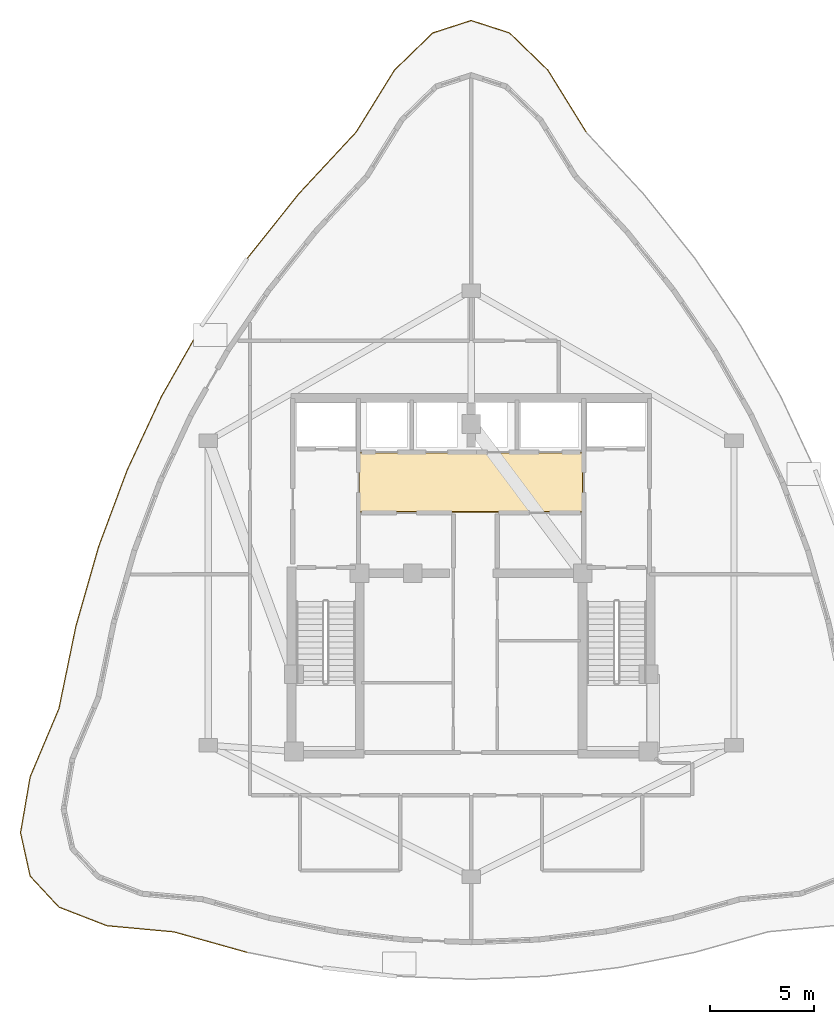
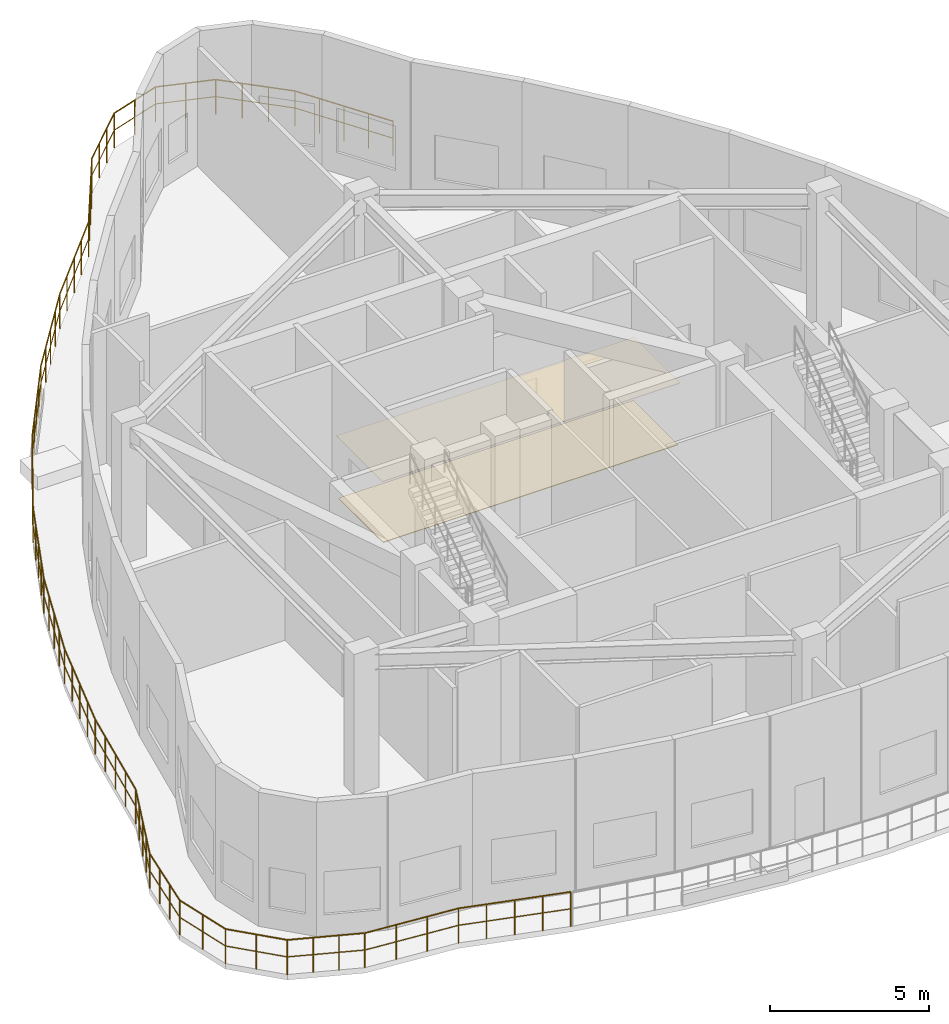
# One storey, part 9 of 11: 2 coverings, 1 railing.
"""IFC4 building model written with IfcOpenShell, lengths in metres."""

from ifc_helpers import new_model, si_unit, direction, frame, origin, origin_2d, place, context, subcontext, project, spatial, polyline, circle, outline, extrude, material, layer, layer_set, type_object, element, save


model = new_model("IFC4")

# Units and contexts
model_context = context("Model", 3, precision=1e-05, world=origin(), true_north=direction((0.0, 1.0)))
body_context = subcontext(model_context, "Body", "Model", "MODEL_VIEW")
ifc_project = project(units=[si_unit("LENGTHUNIT", "METRE"), si_unit("AREAUNIT", "SQUARE_METRE"), si_unit("VOLUMEUNIT", "CUBIC_METRE"), si_unit("PLANEANGLEUNIT", "RADIAN"), si_unit("MASSUNIT", "GRAM", prefix="KILO")], contexts=[model_context])

# Site, building, storey
site_placement = place(None, origin())
site = spatial("IfcSite", under=ifc_project, at=site_placement, CompositionType="ELEMENT")
building_placement = place(site_placement, origin())
building = spatial("IfcBuilding", under=site, at=building_placement, Name="Miruveldt Soraemaru", CompositionType="ELEMENT")
storey_placement = place(building_placement, frame((0.0, 0.0, 295.39990234375)))
storey = spatial("IfcBuildingStorey", under=building, at=storey_placement, Name="L79", CompositionType="ELEMENT", Elevation=295.39990234375)

# Coverings
ifc_material_1 = material(Name="Gypsum plasterboard lining", Category="gypsum")
ifc_layer_1 = layer(ifc_material_1, 0.02001953125, Name="Gypsum plasterboard lining", Category="gypsum")
ifc_layer_set_1 = layer_set([ifc_layer_1], Name="Gypsum plasterboard lining")
covering_type_1 = type_object("IfcCoveringType", Name="COV-CEIL-AC", PredefinedType="CEILING", material=ifc_layer_set_1)
covering_1_placement = place(storey_placement, frame((0.0, 0.0, 2.380126953125)))
element("IfcCovering", 1, at=covering_1_placement, inside=storey, type_object=covering_type_1, Name="L79 Lift Lobby Acoustic Ceiling", PredefinedType="CEILING", context=body_context, shape_type="SweptSolid", body=[
    extrude(outline(polyline([(38.60009765625, 46.949951171875), (49.39990234375, 46.949951171875), (49.39990234375, 49.85009765625), (38.60009765625, 49.85009765625), (38.60009765625, 46.949951171875)])), origin(), (0.0, 0.0, 1.0), 0.02001953125),
])
ifc_material_2 = material(Name="Precast concrete C45/55 (45 MPa)", Category="concrete")
ifc_layer_2 = layer(ifc_material_2, 0.02490234375, Name="Precast concrete C45/55 (45 MPa)", Category="concrete")
ifc_layer_set_2 = layer_set([ifc_layer_2], Name="Precast concrete C45/55 (45 MPa)")
covering_type_2 = type_object("IfcCoveringType", Name="COV-FLOR-ST", PredefinedType="FLOORING", material=ifc_layer_set_2)
covering_2_placement = place(storey_placement, origin())
element("IfcCovering", 2, at=covering_2_placement, inside=storey, type_object=covering_type_2, Name="L79 Lift Lobby Stone Flooring", PredefinedType="FLOORING", context=body_context, shape_type="SweptSolid", body=[
    extrude(outline(polyline([(38.64990234375, 47.0), (49.35009765625, 47.0), (49.35009765625, 49.800048828125), (38.64990234375, 49.800048828125), (38.64990234375, 47.0)])), origin(), (0.0, 0.0, 1.0), 0.025146484375),
])

# Railing
ifc_material_3 = material(Name="Anodised aluminium EN AW-6063 T6", Category="aluminium")
railing_type = type_object("IfcRailingType", Name="RAIL-LOOK-1350", PredefinedType="GUARDRAIL", material=ifc_material_3)
railing_placement = place(storey_placement, frame((49.5205078125, 65.195068359375, 0.0)))
element("IfcRailing", 3, at=railing_placement, inside=storey, type_object=railing_type, Name="L79 Planted Terrace Perimeter Guardrail (A)", PredefinedType="GUARDRAIL", context=body_context, shape_type="SweptSolid", body=[
    extrude(circle(Radius=0.02392578125, at=origin_2d()), frame((0.0, 0.0, 1.326171875), z_axis=(-0.526097501645, 0.850424258099, 0.0), x_axis=(-0.850424258099, -0.526097501645, 0.0)), (0.0, 0.0, 1.0), 3.498046875),
    extrude(circle(Radius=0.01611328125, at=origin_2d()), frame((0.0, 0.0, 0.675048828125), z_axis=(-0.526097501645, 0.850424258099, 0.0), x_axis=(-0.850424258099, -0.526097501645, 0.0)), (0.0, 0.0, 1.0), 3.498046875),
    extrude(circle(Radius=0.02392578125, at=origin_2d()), frame((-1.84033203125, 2.974853515625, 1.326171875), z_axis=(-0.717834041272, 0.696214255234, 0.0), x_axis=(-0.696214255234, -0.717834041272, 0.0)), (0.0, 0.0, 1.0), 2.5634765625),
    extrude(circle(Radius=0.01611328125, at=origin_2d()), frame((-1.84033203125, 2.974853515625, 0.675048828125), z_axis=(-0.717834041272, 0.696214255234, 0.0), x_axis=(-0.696214255234, -0.717834041272, 0.0)), (0.0, 0.0, 1.0), 2.5634765625),
    extrude(circle(Radius=0.02392578125, at=origin_2d()), frame((-3.680419921875, 4.759521484375, 1.326171875), z_axis=(-0.951497789565, 0.30765558089, 0.0), x_axis=(-0.30765558089, -0.951497789565, 0.0)), (0.0, 0.0, 1.0), 1.933837890625),
    extrude(circle(Radius=0.01611328125, at=origin_2d()), frame((-3.680419921875, 4.759521484375, 0.675048828125), z_axis=(-0.951497789565, 0.30765558089, 0.0), x_axis=(-0.30765558089, -0.951497789565, 0.0)), (0.0, 0.0, 1.0), 1.933837890625),
    extrude(circle(Radius=0.02392578125, at=origin_2d()), frame((-5.5205078125, 5.3544921875, 1.326171875), z_axis=(-0.951497789565, -0.30765558089, 0.0), x_axis=(0.30765558089, -0.951497789565, 0.0)), (0.0, 0.0, 1.0), 1.933837890625),
    extrude(circle(Radius=0.01611328125, at=origin_2d()), frame((-5.5205078125, 5.3544921875, 0.675048828125), z_axis=(-0.951497789565, -0.30765558089, 0.0), x_axis=(0.30765558089, -0.951497789565, 0.0)), (0.0, 0.0, 1.0), 1.933837890625),
    extrude(circle(Radius=0.02392578125, at=origin_2d()), frame((-7.360595703125, 4.759521484375, 1.326171875), z_axis=(-0.717834041272, -0.696214255234, 0.0), x_axis=(0.696214255234, -0.717834041272, 0.0)), (0.0, 0.0, 1.0), 2.5634765625),
    extrude(circle(Radius=0.01611328125, at=origin_2d()), frame((-7.360595703125, 4.759521484375, 0.675048828125), z_axis=(-0.717834041272, -0.696214255234, 0.0), x_axis=(0.696214255234, -0.717834041272, 0.0)), (0.0, 0.0, 1.0), 2.5634765625),
    extrude(circle(Radius=0.02392578125, at=origin_2d()), frame((-9.20068359375, 2.974853515625, 1.326171875), z_axis=(-0.526097501645, -0.850424258099, 0.0), x_axis=(0.850424258099, -0.526097501645, 0.0)), (0.0, 0.0, 1.0), 3.498046875),
    extrude(circle(Radius=0.01611328125, at=origin_2d()), frame((-9.20068359375, 2.974853515625, 0.675048828125), z_axis=(-0.526097501645, -0.850424258099, 0.0), x_axis=(0.850424258099, -0.526097501645, 0.0)), (0.0, 0.0, 1.0), 3.498046875),
    extrude(circle(Radius=0.02392578125, at=origin_2d()), frame((-11.041015625, 0.0, 1.326171875), z_axis=(-0.680868614266, -0.732405577606, 0.0), x_axis=(0.732405577606, -0.680868614266, 0.0)), (0.0, 0.0, 1.0), 4.0361328125),
    extrude(circle(Radius=0.01611328125, at=origin_2d()), frame((-11.041015625, 0.0, 0.675048828125), z_axis=(-0.680868614266, -0.732405577606, 0.0), x_axis=(0.732405577606, -0.680868614266, 0.0)), (0.0, 0.0, 1.0), 4.0361328125),
    extrude(circle(Radius=0.02392578125, at=origin_2d()), frame((-13.7890625, -2.9560546875, 1.326171875), z_axis=(-0.623620349854, -0.781727356083, 0.0), x_axis=(0.781727356083, -0.623620349854, 0.0)), (0.0, 0.0, 1.0), 3.9638671875),
    extrude(circle(Radius=0.01611328125, at=origin_2d()), frame((-13.7890625, -2.9560546875, 0.675048828125), z_axis=(-0.623620349854, -0.781727356083, 0.0), x_axis=(0.781727356083, -0.623620349854, 0.0)), (0.0, 0.0, 1.0), 3.9638671875),
    extrude(circle(Radius=0.02392578125, at=origin_2d()), frame((-16.260986328125, -6.0546875, 1.326171875), z_axis=(-0.560816426747, -0.827940176275, 0.0), x_axis=(0.827940176275, -0.560816426747, 0.0)), (0.0, 0.0, 1.0), 3.91455078125),
    extrude(circle(Radius=0.01611328125, at=origin_2d()), frame((-16.260986328125, -6.0546875, 0.675048828125), z_axis=(-0.560816426747, -0.827940176275, 0.0), x_axis=(0.827940176275, -0.560816426747, 0.0)), (0.0, 0.0, 1.0), 3.91455078125),
    extrude(circle(Radius=0.02392578125, at=origin_2d()), frame((-18.456298828125, -9.295654296875, 1.326171875), z_axis=(-0.493371999326, -0.869818412245, 0.0), x_axis=(0.869818412245, -0.493371999326, 0.0)), (0.0, 0.0, 1.0), 3.889892578125),
    extrude(circle(Radius=0.01611328125, at=origin_2d()), frame((-18.456298828125, -9.295654296875, 0.675048828125), z_axis=(-0.493371999326, -0.869818412245, 0.0), x_axis=(0.869818412245, -0.493371999326, 0.0)), (0.0, 0.0, 1.0), 3.889892578125),
    extrude(circle(Radius=0.02392578125, at=origin_2d()), frame((-20.37548828125, -12.67919921875, 1.326171875), z_axis=(-0.422315040294, -0.906449119775, 0.0), x_axis=(0.906449119775, -0.422315040294, 0.0)), (0.0, 0.0, 1.0), 3.89013671875),
    extrude(circle(Radius=0.01611328125, at=origin_2d()), frame((-20.37548828125, -12.67919921875, 0.675048828125), z_axis=(-0.422315040294, -0.906449119775, 0.0), x_axis=(0.906449119775, -0.422315040294, 0.0)), (0.0, 0.0, 1.0), 3.89013671875),
    extrude(circle(Radius=0.02392578125, at=origin_2d()), frame((-22.018310546875, -16.205322265625, 1.326171875), z_axis=(-0.349003785142, -0.937121314429, 0.0), x_axis=(0.937121314429, -0.349003785142, 0.0)), (0.0, 0.0, 1.0), 3.91455078125),
    extrude(circle(Radius=0.01611328125, at=origin_2d()), frame((-22.018310546875, -16.205322265625, 0.675048828125), z_axis=(-0.349003785142, -0.937121314429, 0.0), x_axis=(0.937121314429, -0.349003785142, 0.0)), (0.0, 0.0, 1.0), 3.91455078125),
    extrude(circle(Radius=0.02392578125, at=origin_2d()), frame((-23.384521484375, -19.873779296875, 1.326171875), z_axis=(-0.275005831054, -0.961442558287, 0.0), x_axis=(0.961442558287, -0.275005831054, 0.0)), (0.0, 0.0, 1.0), 3.9638671875),
    extrude(circle(Radius=0.01611328125, at=origin_2d()), frame((-23.384521484375, -19.873779296875, 0.675048828125), z_axis=(-0.275005831054, -0.961442558287, 0.0), x_axis=(0.961442558287, -0.275005831054, 0.0)), (0.0, 0.0, 1.0), 3.9638671875),
    extrude(circle(Radius=0.02392578125, at=origin_2d()), frame((-24.474609375, -23.684814453125, 1.326171875), z_axis=(-0.201545396719, -0.979479174389, 0.0), x_axis=(0.979479174389, -0.201545396719, 0.0)), (0.0, 0.0, 1.0), 4.0361328125),
    extrude(circle(Radius=0.01611328125, at=origin_2d()), frame((-24.474609375, -23.684814453125, 0.675048828125), z_axis=(-0.201545396719, -0.979479174389, 0.0), x_axis=(0.979479174389, -0.201545396719, 0.0)), (0.0, 0.0, 1.0), 4.0361328125),
    extrude(circle(Radius=0.02392578125, at=origin_2d()), frame((-25.2880859375, -27.63818359375, 1.326171875), z_axis=(-0.388643965781, -0.921388011568, 0.0), x_axis=(0.921388011568, -0.388643965781, 0.0)), (0.0, 0.0, 1.0), 3.551025390625),
    extrude(circle(Radius=0.01611328125, at=origin_2d()), frame((-25.2880859375, -27.63818359375, 0.675048828125), z_axis=(-0.388643965781, -0.921388011568, 0.0), x_axis=(0.921388011568, -0.388643965781, 0.0)), (0.0, 0.0, 1.0), 3.551025390625),
    extrude(circle(Radius=0.02392578125, at=origin_2d()), frame((-26.668212890625, -30.91015625, 1.326171875), z_axis=(-0.169308018921, -0.985563186574, 0.0), x_axis=(0.985563186574, -0.169308018921, 0.0)), (0.0, 0.0, 1.0), 2.716796875),
    extrude(circle(Radius=0.01611328125, at=origin_2d()), frame((-26.668212890625, -30.91015625, 0.675048828125), z_axis=(-0.169308018921, -0.985563186574, 0.0), x_axis=(0.985563186574, -0.169308018921, 0.0)), (0.0, 0.0, 1.0), 2.716796875),
    extrude(circle(Radius=0.02392578125, at=origin_2d()), frame((-27.128173828125, -33.587646484375, 1.326171875), z_axis=(0.215693822402, -0.976461046319, 0.0), x_axis=(0.976461046319, 0.215693822402, 0.0)), (0.0, 0.0, 1.0), 2.132568359375),
    extrude(circle(Radius=0.01611328125, at=origin_2d()), frame((-27.128173828125, -33.587646484375, 0.675048828125), z_axis=(0.215693822402, -0.976461046319, 0.0), x_axis=(0.976461046319, 0.215693822402, 0.0)), (0.0, 0.0, 1.0), 2.132568359375),
    extrude(circle(Radius=0.02392578125, at=origin_2d()), frame((-26.668212890625, -35.669921875, 1.326171875), z_axis=(0.680201837228, -0.733024870404, 0.0), x_axis=(0.733024870404, 0.680201837228, 0.0)), (0.0, 0.0, 1.0), 2.029052734375),
    extrude(circle(Radius=0.01611328125, at=origin_2d()), frame((-26.668212890625, -35.669921875, 0.675048828125), z_axis=(0.680201837228, -0.733024870404, 0.0), x_axis=(0.733024870404, 0.680201837228, 0.0)), (0.0, 0.0, 1.0), 2.029052734375),
    extrude(circle(Radius=0.02392578125, at=origin_2d()), frame((-25.2880859375, -37.1572265625, 1.326171875), z_axis=(0.93230888635, -0.361663020549, 0.0), x_axis=(0.361663020549, 0.93230888635, 0.0)), (0.0, 0.0, 1.0), 2.46728515625),
    extrude(circle(Radius=0.01611328125, at=origin_2d()), frame((-25.2880859375, -37.1572265625, 0.675048828125), z_axis=(0.93230888635, -0.361663020549, 0.0), x_axis=(0.361663020549, 0.93230888635, 0.0)), (0.0, 0.0, 1.0), 2.46728515625),
    extrude(circle(Radius=0.02392578125, at=origin_2d()), frame((-22.98779296875, -38.049560546875, 1.326171875), z_axis=(0.99575593475, -0.092033246225, 0.0), x_axis=(0.092033246225, 0.99575593475, 0.0)), (0.0, 0.0, 1.0), 3.233642578125),
    extrude(circle(Radius=0.01611328125, at=origin_2d()), frame((-22.98779296875, -38.049560546875, 0.675048828125), z_axis=(0.99575593475, -0.092033246225, 0.0), x_axis=(0.092033246225, 0.99575593475, 0.0)), (0.0, 0.0, 1.0), 3.233642578125),
    extrude(circle(Radius=0.02392578125, at=origin_2d()), frame((-19.767822265625, -38.34716796875, 1.326171875), z_axis=(0.962971673475, -0.269602589165, 0.0), x_axis=(0.269602589165, 0.962971673475, 0.0)), (0.0, 0.0, 1.0), 3.64404296875),
    extrude(circle(Radius=0.01611328125, at=origin_2d()), frame((-19.767822265625, -38.34716796875, 0.675048828125), z_axis=(0.962971673475, -0.269602589165, 0.0), x_axis=(0.269602589165, 0.962971673475, 0.0)), (0.0, 0.0, 1.0), 3.64404296875),
    extrude(circle(Radius=0.02099609375, at=origin_2d()), origin(), (0.0, 0.0, 1.0), 1.302001953125),
    extrude(circle(Radius=0.02099609375, at=origin_2d()), frame((-0.4599609375, 0.74365234375, 0.0)), (0.0, 0.0, 1.0), 1.302001953125),
    extrude(circle(Radius=0.02099609375, at=origin_2d()), frame((-0.920166015625, 1.4873046875, 0.0)), (0.0, 0.0, 1.0), 1.302001953125),
    extrude(circle(Radius=0.02099609375, at=origin_2d()), frame((-1.38037109375, 2.231201171875, 0.0)), (0.0, 0.0, 1.0), 1.302001953125),
    extrude(circle(Radius=0.02099609375, at=origin_2d()), frame((-1.84033203125, 2.974853515625, 0.0)), (0.0, 0.0, 1.0), 1.302001953125),
    extrude(circle(Radius=0.02099609375, at=origin_2d()), frame((-2.45361328125, 3.56982421875, 0.0)), (0.0, 0.0, 1.0), 1.302001953125),
    extrude(circle(Radius=0.02099609375, at=origin_2d()), frame((-3.067138671875, 4.16455078125, 0.0)), (0.0, 0.0, 1.0), 1.302001953125),
    extrude(circle(Radius=0.02099609375, at=origin_2d()), frame((-3.680419921875, 4.759521484375, 0.0)), (0.0, 0.0, 1.0), 1.302001953125),
    extrude(circle(Radius=0.02099609375, at=origin_2d()), frame((-4.6005859375, 5.05712890625, 0.0)), (0.0, 0.0, 1.0), 1.302001953125),
    extrude(circle(Radius=0.02099609375, at=origin_2d()), frame((-5.5205078125, 5.3544921875, 0.0)), (0.0, 0.0, 1.0), 1.302001953125),
    extrude(circle(Radius=0.02099609375, at=origin_2d()), frame((-6.4404296875, 5.05712890625, 0.0)), (0.0, 0.0, 1.0), 1.302001953125),
    extrude(circle(Radius=0.02099609375, at=origin_2d()), frame((-7.360595703125, 4.759521484375, 0.0)), (0.0, 0.0, 1.0), 1.302001953125),
    extrude(circle(Radius=0.02099609375, at=origin_2d()), frame((-7.973876953125, 4.16455078125, 0.0)), (0.0, 0.0, 1.0), 1.302001953125),
    extrude(circle(Radius=0.02099609375, at=origin_2d()), frame((-8.58740234375, 3.56982421875, 0.0)), (0.0, 0.0, 1.0), 1.302001953125),
    extrude(circle(Radius=0.02099609375, at=origin_2d()), frame((-9.20068359375, 2.974853515625, 0.0)), (0.0, 0.0, 1.0), 1.302001953125),
    extrude(circle(Radius=0.02099609375, at=origin_2d()), frame((-9.66064453125, 2.231201171875, 0.0)), (0.0, 0.0, 1.0), 1.302001953125),
    extrude(circle(Radius=0.02099609375, at=origin_2d()), frame((-10.120849609375, 1.4873046875, 0.0)), (0.0, 0.0, 1.0), 1.302001953125),
    extrude(circle(Radius=0.02099609375, at=origin_2d()), frame((-10.5810546875, 0.74365234375, 0.0)), (0.0, 0.0, 1.0), 1.302001953125),
    extrude(circle(Radius=0.02099609375, at=origin_2d()), frame((-11.041015625, 0.0, 0.0)), (0.0, 0.0, 1.0), 1.302001953125),
    extrude(circle(Radius=0.02099609375, at=origin_2d()), frame((-11.72802734375, -0.739013671875, 0.0)), (0.0, 0.0, 1.0), 1.302001953125),
    extrude(circle(Radius=0.02099609375, at=origin_2d()), frame((-12.4150390625, -1.47802734375, 0.0)), (0.0, 0.0, 1.0), 1.302001953125),
    extrude(circle(Radius=0.02099609375, at=origin_2d()), frame((-13.10205078125, -2.217041015625, 0.0)), (0.0, 0.0, 1.0), 1.302001953125),
    extrude(circle(Radius=0.02099609375, at=origin_2d()), frame((-13.7890625, -2.9560546875, 0.0)), (0.0, 0.0, 1.0), 1.302001953125),
    extrude(circle(Radius=0.02099609375, at=origin_2d()), frame((-14.406982421875, -3.730712890625, 0.0)), (0.0, 0.0, 1.0), 1.302001953125),
    extrude(circle(Radius=0.02099609375, at=origin_2d()), frame((-15.02490234375, -4.50537109375, 0.0)), (0.0, 0.0, 1.0), 1.302001953125),
    extrude(circle(Radius=0.02099609375, at=origin_2d()), frame((-15.64306640625, -5.280029296875, 0.0)), (0.0, 0.0, 1.0), 1.302001953125),
    extrude(circle(Radius=0.02099609375, at=origin_2d()), frame((-16.260986328125, -6.0546875, 0.0)), (0.0, 0.0, 1.0), 1.302001953125),
    extrude(circle(Radius=0.02099609375, at=origin_2d()), frame((-16.809814453125, -6.864990234375, 0.0)), (0.0, 0.0, 1.0), 1.302001953125),
    extrude(circle(Radius=0.02099609375, at=origin_2d()), frame((-17.358642578125, -7.67529296875, 0.0)), (0.0, 0.0, 1.0), 1.302001953125),
    extrude(circle(Radius=0.02099609375, at=origin_2d()), frame((-17.907470703125, -8.4853515625, 0.0)), (0.0, 0.0, 1.0), 1.302001953125),
    extrude(circle(Radius=0.02099609375, at=origin_2d()), frame((-18.456298828125, -9.295654296875, 0.0)), (0.0, 0.0, 1.0), 1.302001953125),
    extrude(circle(Radius=0.02099609375, at=origin_2d()), frame((-18.93603515625, -10.1416015625, 0.0)), (0.0, 0.0, 1.0), 1.302001953125),
    extrude(circle(Radius=0.02099609375, at=origin_2d()), frame((-19.416015625, -10.9873046875, 0.0)), (0.0, 0.0, 1.0), 1.302001953125),
    extrude(circle(Radius=0.02099609375, at=origin_2d()), frame((-19.895751953125, -11.833251953125, 0.0)), (0.0, 0.0, 1.0), 1.302001953125),
    extrude(circle(Radius=0.02099609375, at=origin_2d()), frame((-20.37548828125, -12.67919921875, 0.0)), (0.0, 0.0, 1.0), 1.302001953125),
    extrude(circle(Radius=0.02099609375, at=origin_2d()), frame((-20.7861328125, -13.560791015625, 0.0)), (0.0, 0.0, 1.0), 1.302001953125),
    extrude(circle(Radius=0.02099609375, at=origin_2d()), frame((-21.19677734375, -14.4423828125, 0.0)), (0.0, 0.0, 1.0), 1.302001953125),
    extrude(circle(Radius=0.02099609375, at=origin_2d()), frame((-21.607666015625, -15.32373046875, 0.0)), (0.0, 0.0, 1.0), 1.302001953125),
    extrude(circle(Radius=0.02099609375, at=origin_2d()), frame((-22.018310546875, -16.205322265625, 0.0)), (0.0, 0.0, 1.0), 1.302001953125),
    extrude(circle(Radius=0.02099609375, at=origin_2d()), frame((-22.35986328125, -17.12255859375, 0.0)), (0.0, 0.0, 1.0), 1.302001953125),
    extrude(circle(Radius=0.02099609375, at=origin_2d()), frame((-22.701416015625, -18.03955078125, 0.0)), (0.0, 0.0, 1.0), 1.302001953125),
    extrude(circle(Radius=0.02099609375, at=origin_2d()), frame((-23.04296875, -18.95654296875, 0.0)), (0.0, 0.0, 1.0), 1.302001953125),
    extrude(circle(Radius=0.02099609375, at=origin_2d()), frame((-23.384521484375, -19.873779296875, 0.0)), (0.0, 0.0, 1.0), 1.302001953125),
    extrude(circle(Radius=0.02099609375, at=origin_2d()), frame((-23.656982421875, -20.82666015625, 0.0)), (0.0, 0.0, 1.0), 1.302001953125),
    extrude(circle(Radius=0.02099609375, at=origin_2d()), frame((-23.9296875, -21.779296875, 0.0)), (0.0, 0.0, 1.0), 1.302001953125),
    extrude(circle(Radius=0.02099609375, at=origin_2d()), frame((-24.2021484375, -22.73193359375, 0.0)), (0.0, 0.0, 1.0), 1.302001953125),
    extrude(circle(Radius=0.02099609375, at=origin_2d()), frame((-24.474609375, -23.684814453125, 0.0)), (0.0, 0.0, 1.0), 1.302001953125),
    extrude(circle(Radius=0.02099609375, at=origin_2d()), frame((-24.677978515625, -24.673095703125, 0.0)), (0.0, 0.0, 1.0), 1.302001953125),
    extrude(circle(Radius=0.02099609375, at=origin_2d()), frame((-24.88134765625, -25.66162109375, 0.0)), (0.0, 0.0, 1.0), 1.302001953125),
    extrude(circle(Radius=0.02099609375, at=origin_2d()), frame((-25.084716796875, -26.64990234375, 0.0)), (0.0, 0.0, 1.0), 1.302001953125),
    extrude(circle(Radius=0.02099609375, at=origin_2d()), frame((-25.2880859375, -27.63818359375, 0.0)), (0.0, 0.0, 1.0), 1.302001953125),
    extrude(circle(Radius=0.02099609375, at=origin_2d()), frame((-25.633056640625, -28.4560546875, 0.0)), (0.0, 0.0, 1.0), 1.302001953125),
    extrude(circle(Radius=0.02099609375, at=origin_2d()), frame((-25.97802734375, -29.274169921875, 0.0)), (0.0, 0.0, 1.0), 1.302001953125),
    extrude(circle(Radius=0.02099609375, at=origin_2d()), frame((-26.3232421875, -30.09228515625, 0.0)), (0.0, 0.0, 1.0), 1.302001953125),
    extrude(circle(Radius=0.02099609375, at=origin_2d()), frame((-26.668212890625, -30.91015625, 0.0)), (0.0, 0.0, 1.0), 1.302001953125),
    extrude(circle(Radius=0.02099609375, at=origin_2d()), frame((-26.821533203125, -31.802734375, 0.0)), (0.0, 0.0, 1.0), 1.302001953125),
    extrude(circle(Radius=0.02099609375, at=origin_2d()), frame((-26.974853515625, -32.695068359375, 0.0)), (0.0, 0.0, 1.0), 1.302001953125),
    extrude(circle(Radius=0.02099609375, at=origin_2d()), frame((-27.128173828125, -33.587646484375, 0.0)), (0.0, 0.0, 1.0), 1.302001953125),
    extrude(circle(Radius=0.02099609375, at=origin_2d()), frame((-26.898193359375, -34.62890625, 0.0)), (0.0, 0.0, 1.0), 1.302001953125),
    extrude(circle(Radius=0.02099609375, at=origin_2d()), frame((-26.668212890625, -35.669921875, 0.0)), (0.0, 0.0, 1.0), 1.302001953125),
    extrude(circle(Radius=0.02099609375, at=origin_2d()), frame((-25.97802734375, -36.41357421875, 0.0)), (0.0, 0.0, 1.0), 1.302001953125),
    extrude(circle(Radius=0.02099609375, at=origin_2d()), frame((-25.2880859375, -37.1572265625, 0.0)), (0.0, 0.0, 1.0), 1.302001953125),
    extrude(circle(Radius=0.02099609375, at=origin_2d()), frame((-24.521240234375, -37.45458984375, 0.0)), (0.0, 0.0, 1.0), 1.302001953125),
    extrude(circle(Radius=0.02099609375, at=origin_2d()), frame((-23.754638671875, -37.752197265625, 0.0)), (0.0, 0.0, 1.0), 1.302001953125),
    extrude(circle(Radius=0.02099609375, at=origin_2d()), frame((-22.98779296875, -38.049560546875, 0.0)), (0.0, 0.0, 1.0), 1.302001953125),
    extrude(circle(Radius=0.02099609375, at=origin_2d()), frame((-21.91455078125, -38.148681640625, 0.0)), (0.0, 0.0, 1.0), 1.302001953125),
    extrude(circle(Radius=0.02099609375, at=origin_2d()), frame((-20.841064453125, -38.248046875, 0.0)), (0.0, 0.0, 1.0), 1.302001953125),
    extrude(circle(Radius=0.02099609375, at=origin_2d()), frame((-19.767822265625, -38.34716796875, 0.0)), (0.0, 0.0, 1.0), 1.302001953125),
    extrude(circle(Radius=0.02099609375, at=origin_2d()), frame((-18.890625, -38.5927734375, 0.0)), (0.0, 0.0, 1.0), 1.302001953125),
    extrude(circle(Radius=0.02099609375, at=origin_2d()), frame((-18.01318359375, -38.83837890625, 0.0)), (0.0, 0.0, 1.0), 1.302001953125),
    extrude(circle(Radius=0.02099609375, at=origin_2d()), frame((-17.135986328125, -39.083984375, 0.0)), (0.0, 0.0, 1.0), 1.302001953125),
    extrude(circle(Radius=0.02099609375, at=origin_2d()), frame((-16.2587890625, -39.32958984375, 0.0)), (0.0, 0.0, 1.0), 1.302001953125),
])

save(model, "model.ifc")
